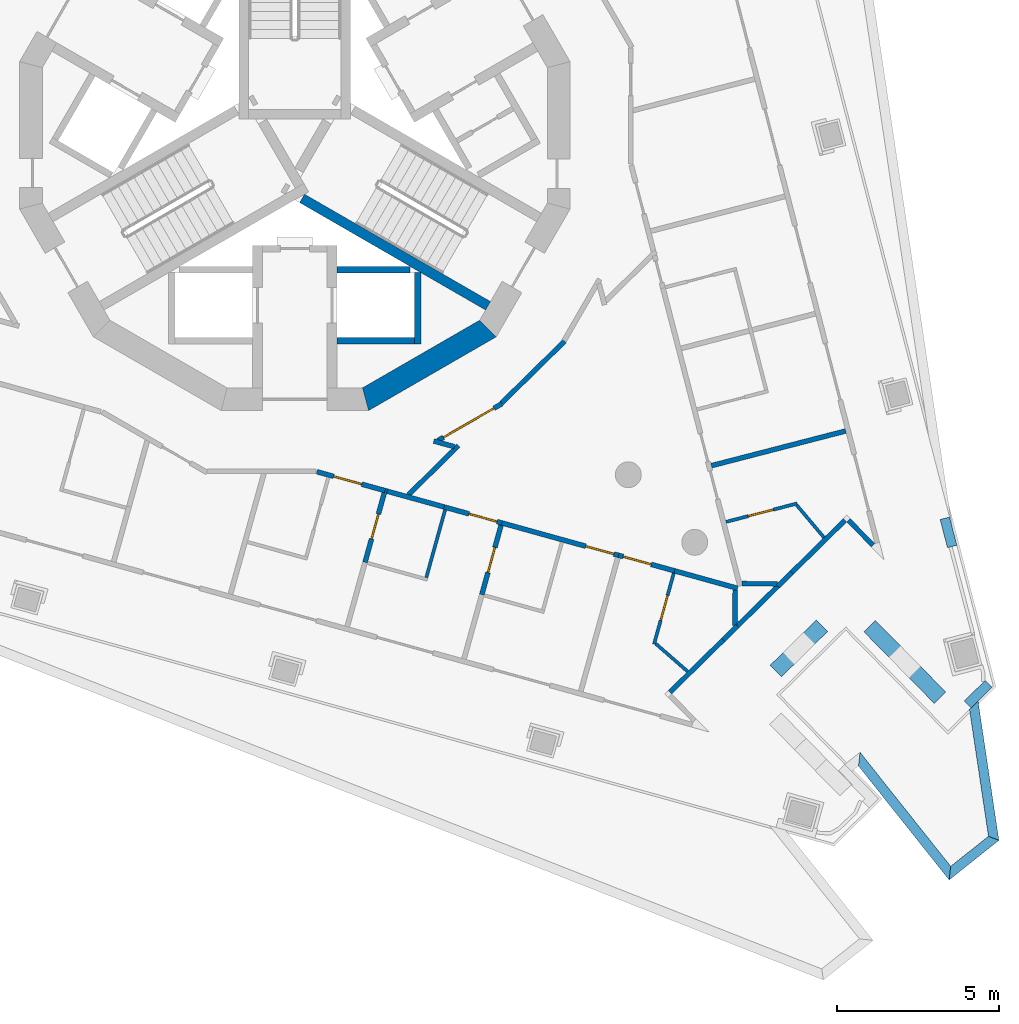
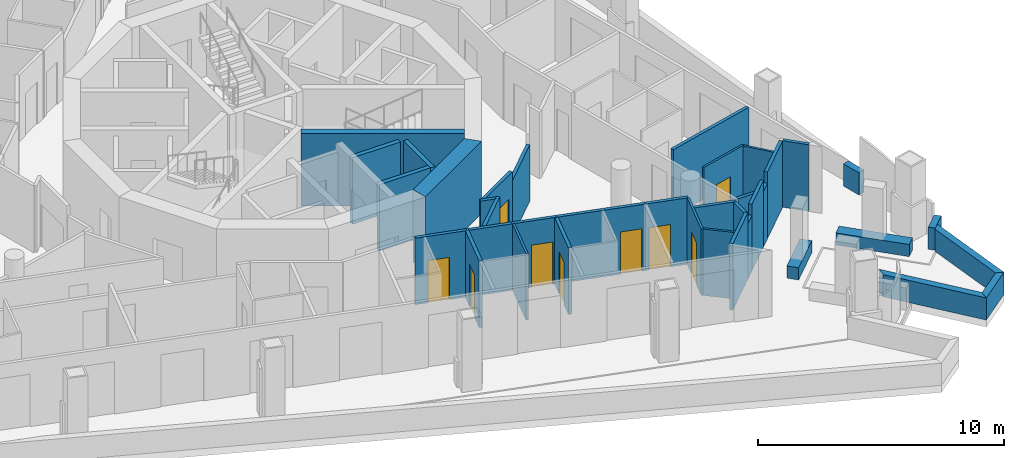
# One storey, part 5 of 14: 38 walls, 9 doors, 9 openings.
"""IFC4 building model written with IfcOpenShell, lengths in metres."""

from ifc_helpers import new_model, si_unit, direction, frame, frame_2d, origin, place, context, subcontext, project, spatial, polyline, rectangle, outline, extrude, material, layer, layer_set, type_object, element, fill, save


model = new_model("IFC4")

# Units and contexts
model_context = context("Model", 3, precision=1e-05, world=origin(), true_north=direction((0.0, 1.0)))
body_context = subcontext(model_context, "Body", "Model", "MODEL_VIEW")
ifc_project = project(units=[si_unit("LENGTHUNIT", "METRE"), si_unit("AREAUNIT", "SQUARE_METRE"), si_unit("VOLUMEUNIT", "CUBIC_METRE"), si_unit("PLANEANGLEUNIT", "RADIAN"), si_unit("MASSUNIT", "GRAM", prefix="KILO")], contexts=[model_context])

# Site, building, storey
site_placement = place(None, origin())
site = spatial("IfcSite", under=ifc_project, at=site_placement, CompositionType="ELEMENT")
building_placement = place(site_placement, origin())
building = spatial("IfcBuilding", under=site, at=building_placement, Name="Trine Commons Tower", CompositionType="ELEMENT")
storey_placement = place(building_placement, frame((0.0, 0.0, 234.89990234375)))
storey = spatial("IfcBuildingStorey", under=building, at=storey_placement, Name="L61", CompositionType="ELEMENT", Elevation=234.89990234375)

# Walls
ifc_material_1 = material(Name="Aluminium-framed insulated wall panel", Category="aluminium")
ifc_layer_1 = layer(ifc_material_1, 0.14990234375)
ifc_layer_set_1 = layer_set([ifc_layer_1], Name="Aluminium-framed insulated wall panel")
wall_type_1 = type_object("IfcWallType", Name="Glazed frame wall 150, EI 60", PredefinedType="SOLIDWALL", material=ifc_layer_set_1)
wall_1_placement = place(storey_placement, frame((97.966796875, 49.731201171875, 0.0), z_axis=(0.0, 0.0, 1.0), x_axis=(-0.700999978355, 0.71316129336, 0.0)))
element("IfcWall", 1, at=wall_1_placement, inside=storey, type_object=wall_type_1, Name="Glazed frame wall R6", PredefinedType="SOLIDWALL", context=body_context, shape_type="SweptSolid", body=[
    extrude(outline(polyline([(0.1494140625, 0.074951171875), (0.1494140625, -0.074951171875), (1.235107421875, -0.074951171875), (1.235107421875, 0.074951171875), (0.1494140625, 0.074951171875)])), origin(), (0.0, 0.0, 1.0), 3.300048828125),
])
wall_2_placement = place(storey_placement, frame((97.073486328125, 50.690185546875, 0.0), z_axis=(0.0, 0.0, 1.0), x_axis=(-0.713250368354, -0.700909346522, 0.0)))
element("IfcWall", 2, at=wall_2_placement, inside=storey, type_object=wall_type_1, Name="Glazed frame wall P2.1", PredefinedType="SOLIDWALL", context=body_context, shape_type="SweptSolid", body=[
    extrude(outline(polyline([(0.110107421875, -0.074951171875), (2.41357421875, -0.074951171875), (2.41357421875, 0.074951171875), (0.110107421875, 0.074951171875), (0.110107421875, -0.074951171875)])), origin(), (0.0, 0.0, 1.0), 3.300048828125),
])
wall_3_placement = place(storey_placement, frame((95.35205078125, 48.99853515625, 0.0), z_axis=(0.0, 0.0, 1.0), x_axis=(-0.713304727682, -0.700854025791, 0.0)))
element("IfcWall", 3, at=wall_3_placement, inside=storey, type_object=wall_type_1, Name="Glazed frame wall P2.2", PredefinedType="SOLIDWALL", context=body_context, shape_type="SweptSolid", body=[
    extrude(outline(polyline([(0.0, -0.074951171875), (0.60791015625, -0.074951171875), (0.60791015625, 0.074951171875), (0.0, 0.074951171875), (0.0, -0.074951171875)])), origin(), (0.0, 0.0, 1.0), 2.75),
])
wall_4_placement = place(storey_placement, frame((94.91845703125, 48.572509765625, 0.0), z_axis=(0.0, 0.0, 1.0), x_axis=(-0.713193839807, -0.700966865737, 0.0)))
element("IfcWall", 4, at=wall_4_placement, inside=storey, type_object=wall_type_1, Name="Glazed frame wall P2.3", PredefinedType="SOLIDWALL", context=body_context, shape_type="SweptSolid", body=[
    extrude(outline(polyline([(0.0, -0.074951171875), (1.757080078125, -0.074951171875), (1.757080078125, 0.074951171875), (0.0, 0.074951171875), (0.0, -0.074951171875)])), origin(), (0.0, 0.0, 1.0), 3.300048828125),
])
wall_5_placement = place(storey_placement, frame((93.665283203125, 47.3408203125, 0.0), z_axis=(0.0, 0.0, 1.0), x_axis=(-0.713304727682, -0.700854025791, 0.0)))
element("IfcWall", 5, at=wall_5_placement, inside=storey, type_object=wall_type_1, Name="Glazed frame wall P2.4", PredefinedType="SOLIDWALL", context=body_context, shape_type="SweptSolid", body=[
    extrude(outline(polyline([(0.0, -0.074951171875), (0.60791015625, -0.074951171875), (0.60791015625, 0.074951171875), (0.0, 0.074951171875), (0.0, -0.074951171875)])), origin(), (0.0, 0.0, 1.0), 2.75),
])
wall_6_placement = place(storey_placement, frame((93.231689453125, 46.914794921875, 0.0), z_axis=(0.0, 0.0, 1.0), x_axis=(-0.713249493487, -0.700910236793, 0.0)))
element("IfcWall", 6, at=wall_6_placement, inside=storey, type_object=wall_type_1, Name="Glazed frame wall P2.5", PredefinedType="SOLIDWALL", context=body_context, shape_type="SweptSolid", body=[
    extrude(outline(polyline([(2.3037109375, 0.074951171875), (0.0, 0.074951171875), (0.0, -0.074951171875), (2.3037109375, -0.074951171875), (2.3037109375, 0.074951171875)])), origin(), (0.0, 0.0, 1.0), 3.300048828125),
])
ifc_material_2 = material(Name="Planter trough, precast concrete C40/50", Category="concrete")
ifc_layer_2 = layer(ifc_material_2, 0.5)
ifc_layer_set_2 = layer_set([ifc_layer_2], Name="Planter trough, precast concrete C40/50")
wall_type_2 = type_object("IfcWallType", Name="Planter trough 500x600", PredefinedType="PARAPET", material=ifc_layer_set_2)
wall_7_placement = place(storey_placement, frame((99.927734375, 45.1318359375, 0.0), z_axis=(0.0, 0.0, 1.0), x_axis=(-0.700897681372, 0.713261831481, 0.0)))
element("IfcWall", 7, at=wall_7_placement, inside=storey, type_object=wall_type_2, Name="Planter 7", PredefinedType="PARAPET", context=body_context, shape_type="SweptSolid", body=[
    extrude(rectangle(XDim=3.10009765625, YDim=0.5, at=frame_2d((1.550048828125, 0.0))), origin(), (0.0, 0.0, 1.0), 0.60009765625),
])
wall_8_placement = place(storey_placement, frame((96.2841796875, 47.355712890625, 0.0), z_axis=(0.0, 0.0, 1.0), x_axis=(-0.713305380591, -0.700853361282, 0.0)))
element("IfcWall", 8, at=wall_8_placement, inside=storey, type_object=wall_type_2, Name="Planter 8", PredefinedType="PARAPET", context=body_context, shape_type="SweptSolid", body=[
    extrude(rectangle(XDim=1.999755859375, YDim=0.5, at=frame_2d((1.0, 0.0))), origin(), (0.0, 0.0, 1.0), 0.60009765625),
])
ifc_material_3 = material(Name="Concrete C50/60", Category="concrete")
ifc_layer_3 = layer(ifc_material_3, 0.300048828125)
ifc_layer_set_3 = layer_set([ifc_layer_3], Name="Concrete C50/60")
wall_type_3 = type_object("IfcWallType", Name="RC shear wall 300 mm, C50/60", PredefinedType="SHEAR", material=ifc_layer_set_3)
wall_9_placement = place(storey_placement, frame((80.22509765625, 60.552001953125, 0.0), z_axis=(0.0, 0.0, 1.0), x_axis=(0.866009627307, -0.500027324665, 0.0)))
element("IfcWall", 9, at=wall_9_placement, inside=storey, type_object=wall_type_3, Name="Core cross wall SWC-13 L61", PredefinedType="SHEAR", context=body_context, shape_type="SweptSolid", body=[
    extrude(rectangle(XDim=6.631591796875, YDim=0.300048828125, at=frame_2d((3.31591796875, 0.0))), origin(), (0.0, 0.0, 1.0), 3.60009765625),
])
ifc_layer_4 = layer(ifc_material_3, 0.699951171875)
ifc_layer_set_4 = layer_set([ifc_layer_4], Name="Concrete C50/60")
wall_type_4 = type_object("IfcWallType", Name="RC shear wall 700 mm, C50/60", PredefinedType="SHEAR", material=ifc_layer_set_4)
wall_10_placement = place(storey_placement, frame((82.1025390625, 54.302978515625, 0.0), z_axis=(0.0, 0.0, 1.0), x_axis=(0.866034756103, 0.499983800959, 0.0)))
element("IfcWall", 10, at=wall_10_placement, inside=storey, type_object=wall_type_4, Name="Core wall CWG-11 L61", PredefinedType="SHEAR", context=body_context, shape_type="SweptSolid", body=[
    extrude(outline(polyline([(0.0, -0.35009765625), (4.55517578125, -0.35009765625), (4.36767578125, 0.35009765625), (0.1875, 0.35009765625), (0.0, -0.35009765625)])), origin(), (0.0, 0.0, 1.0), 3.60009765625),
])
ifc_material_4 = material(Name="Fire-rated gypsum shaft wall system")
ifc_layer_5 = layer(ifc_material_4, 0.199951171875)
ifc_layer_set_5 = layer_set([ifc_layer_5], Name="Fire-rated gypsum shaft wall system")
wall_type_5 = type_object("IfcWallType", Name="Shaft wall 200 mm, EI 120", PredefinedType="PARTITIONING", material=ifc_layer_set_5)
wall_11_placement = place(storey_placement, frame((81.300048828125, 56.14990234375, 0.0), z_axis=(0.0, 0.0, 1.0), x_axis=(1.0, 0.0, 0.0)))
element("IfcWall", 11, at=wall_11_placement, inside=storey, type_object=wall_type_5, Name="Shaft wall L61", PredefinedType="PARTITIONING", context=body_context, shape_type="SweptSolid", body=[
    extrude(rectangle(XDim=2.39990234375, YDim=0.199951171875, at=frame_2d((1.199951171875, 0.0))), origin(), (0.0, 0.0, 1.0), 3.300048828125),
])
wall_12_placement = place(storey_placement, frame((81.300048828125, 58.35009765625, 0.0), z_axis=(0.0, 0.0, 1.0), x_axis=(1.0, 0.0, 0.0)))
element("IfcWall", 12, at=wall_12_placement, inside=storey, type_object=wall_type_5, Name="Shaft wall L61", PredefinedType="PARTITIONING", context=body_context, shape_type="SweptSolid", body=[
    extrude(rectangle(XDim=2.264892578125, YDim=0.199951171875, at=frame_2d((1.13232421875, 0.0))), origin(), (0.0, 0.0, 1.0), 3.300048828125),
])
wall_13_placement = place(storey_placement, frame((83.800048828125, 58.257080078125, 0.0), z_axis=(0.0, 0.0, 1.0), x_axis=(0.0, -1.0, 0.0)))
element("IfcWall", 13, at=wall_13_placement, inside=storey, type_object=wall_type_5, Name="Shaft wall L61", PredefinedType="PARTITIONING", context=body_context, shape_type="SweptSolid", body=[
    extrude(rectangle(XDim=2.20703125, YDim=0.199951171875, at=frame_2d((1.103515625, 0.0))), origin(), (0.0, 0.0, 1.0), 3.300048828125),
])
ifc_material_5 = material(Name="Limestone, honed", Category="masonry")
ifc_layer_6 = layer(ifc_material_5, 0.300048828125)
ifc_layer_set_6 = layer_set([ifc_layer_6], Name="Limestone, honed")
wall_type_6 = type_object("IfcWallType", Name="Stone parapet 300", PredefinedType="PARAPET", material=ifc_layer_set_6)
wall_14_placement = place(storey_placement, origin())
element("IfcWall", 14, at=wall_14_placement, inside=storey, type_object=wall_type_6, Name="Sliver roof parapet extension L60 5.X1", PredefinedType="PARAPET", context=body_context, shape_type="SweptSolid", body=[
    extrude(outline(polyline([(100.22412109375, 50.70947265625), (99.93359375, 50.63427734375), (100.158935546875, 49.762939453125), (100.449462890625, 49.837890625), (100.275634765625, 50.509765625), (100.22412109375, 50.70947265625)])), origin(), (0.0, 0.0, 1.0), 1.10009765625),
])
wall_15_placement = place(storey_placement, origin())
element("IfcWall", 15, at=wall_15_placement, inside=storey, type_object=wall_type_6, Name="Sliver roof parapet L60 6.1", PredefinedType="PARAPET", context=body_context, shape_type="SweptSolid", body=[
    extrude(outline(polyline([(101.748046875, 40.7236328125), (101.10498046875, 45.02685546875), (100.840576171875, 44.76708984375), (101.42578125, 40.8505859375), (101.748046875, 40.7236328125)])), origin(), (0.0, 0.0, 1.0), 1.10009765625),
])
wall_16_placement = place(storey_placement, origin())
element("IfcWall", 16, at=wall_16_placement, inside=storey, type_object=wall_type_6, Name="Sliver roof parapet L60 6.3", PredefinedType="PARAPET", context=body_context, shape_type="SweptSolid", body=[
    extrude(outline(polyline([(97.40966796875, 43.022705078125), (100.2109375, 39.5009765625), (100.259033203125, 39.92236328125), (97.457763671875, 43.444091796875), (97.40966796875, 43.022705078125)])), origin(), (0.0, 0.0, 1.0), 1.10009765625),
])
wall_17_placement = place(storey_placement, origin())
element("IfcWall", 17, at=wall_17_placement, inside=storey, type_object=wall_type_6, Name="Sliver roof parapet L60 6.4", PredefinedType="PARAPET", context=body_context, shape_type="SweptSolid", body=[
    extrude(outline(polyline([(100.2109375, 39.5009765625), (101.748046875, 40.7236328125), (101.42578125, 40.8505859375), (100.259033203125, 39.92236328125), (100.2109375, 39.5009765625)])), origin(), (0.0, 0.0, 1.0), 1.10009765625),
])
wall_18_placement = place(storey_placement, origin())
element("IfcWall", 18, at=wall_18_placement, inside=storey, type_object=wall_type_6, Name="Sliver roof parapet extension L60 6.X1", PredefinedType="PARAPET", context=body_context, shape_type="SweptSolid", body=[
    extrude(outline(polyline([(101.532958984375, 45.447509765625), (101.32275390625, 45.661376953125), (100.6806640625, 45.030517578125), (100.89111328125, 44.816650390625), (100.927490234375, 44.8525390625), (101.532958984375, 45.447509765625)])), origin(), (0.0, 0.0, 1.0), 1.10009765625),
])

# Wall, opening, door
ifc_material_6 = material(Name="Gypsum plasterboard on steel stud", Category="steel")
ifc_layer_7 = layer(ifc_material_6, 0.14990234375)
ifc_layer_set_7 = layer_set([ifc_layer_7], Name="Gypsum plasterboard on steel stud")
wall_type_7 = type_object("IfcWallType", Name="Unit and corridor wall 150 mm, EI 60", PredefinedType="PARTITIONING", material=ifc_layer_set_7)
wall_19_placement = place(storey_placement, frame((80.681884765625, 52.110107421875, 0.0), z_axis=(0.0, 0.0, 1.0), x_axis=(0.96358351927, -0.267407556722, 0.0)))
wall_19 = element("IfcWall", 19, at=wall_19_placement, inside=storey, type_object=wall_type_7, Name="Partition 056", PredefinedType="PARTITIONING", context=body_context, shape_type="SweptSolid", body=[
    extrude(rectangle(XDim=2.184814453125, YDim=0.14990234375, at=frame_2d((1.09228515625, 0.0))), origin(), (0.0, 0.0, 1.0), 3.300048828125),
])
opening_1_placement = place(wall_19_placement, frame((0.53759765625, 0.0, 0.0)))
opening_1 = element("IfcOpeningElement", 20, at=opening_1_placement, cuts=wall_19, Name="Opening D-7A22", PredefinedType="OPENING", context=body_context, shape_type="SweptSolid", body=[
    extrude(rectangle(XDim=0.89990234375, YDim=2.10009765625, at=frame_2d((0.449951171875, 1.050048828125))), frame((0.0, 0.0849609375, 0.0), z_axis=(0.0, -1.0, 0.0), x_axis=(1.0, 0.0, 0.0)), (0.0, 0.0, 1.0), 0.169921875),
])
ifc_material_7 = material(Name="Timber fire door set", Category="wood")
door_type_1 = type_object("IfcDoorType", Name="Bedroom door 900 x 2100, FD30S", OperationType="NOTDEFINED", PredefinedType="DOOR", material=ifc_material_7)
door_1_placement = place(opening_1_placement, frame((0.89990234375, 0.0, 0.0), z_axis=(0.0, 0.0, 1.0), x_axis=(-1.0, 0.0, 0.0)))
door_1 = element("IfcDoor", 21, at=door_1_placement, inside=storey, type_object=door_type_1, Name="Door D-7A22", OperationType="SINGLE_SWING_RIGHT", OverallHeight=2.10009765625, OverallWidth=0.89990234375, PredefinedType="DOOR", context=body_context, shape_type="SweptSolid", body=[
    extrude(rectangle(XDim=0.89990234375, YDim=2.10009765625, at=frame_2d((0.449951171875, 1.050048828125))), frame((0.0, 0.02490234375, 0.0), z_axis=(0.0, -1.0, 0.0), x_axis=(1.0, 0.0, 0.0)), (0.0, 0.0, 1.0), 0.050048828125),
])
fill(opening_1, door_1)

wall_20_placement = place(storey_placement, frame((82.1689453125, 49.31298828125, 0.0), z_axis=(0.0, 0.0, 1.0), x_axis=(0.267490099625, 0.963560608681, 0.0)))
wall_20 = element("IfcWall", 22, at=wall_20_placement, inside=storey, type_object=wall_type_7, Name="Partition 059", PredefinedType="PARTITIONING", context=body_context, shape_type="SweptSolid", body=[
    extrude(rectangle(XDim=2.374755859375, YDim=0.14990234375, at=frame_2d((1.1875, 0.0))), origin(), (0.0, 0.0, 1.0), 3.300048828125),
])
opening_2_placement = place(wall_20_placement, frame((0.75, 0.0, 0.0)))
opening_2 = element("IfcOpeningElement", 23, at=opening_2_placement, cuts=wall_20, Name="Opening D-7A42", PredefinedType="OPENING", context=body_context, shape_type="SweptSolid", body=[
    extrude(rectangle(XDim=0.800048828125, YDim=2.10009765625, at=frame_2d((0.39990234375, 1.050048828125))), frame((0.0, 0.0849609375, 0.0), z_axis=(0.0, -1.0, 0.0), x_axis=(1.0, 0.0, 0.0)), (0.0, 0.0, 1.0), 0.169921875),
])
ifc_material_8 = material(Name="Painted timber", Category="wood")
door_type_2 = type_object("IfcDoorType", Name="Internal door 800 x 2100, NOT RATED", OperationType="NOTDEFINED", PredefinedType="DOOR", material=ifc_material_8)
door_2_placement = place(opening_2_placement, origin())
door_2 = element("IfcDoor", 24, at=door_2_placement, inside=storey, type_object=door_type_2, Name="Door D-7A42", OperationType="SINGLE_SWING_LEFT", OverallHeight=2.10009765625, OverallWidth=0.800048828125, PredefinedType="DOOR", context=body_context, shape_type="SweptSolid", body=[
    extrude(rectangle(XDim=0.800048828125, YDim=2.10009765625, at=frame_2d((0.39990234375, 1.050048828125))), frame((0.0, 0.02490234375, 0.0), z_axis=(0.0, -1.0, 0.0), x_axis=(1.0, 0.0, 0.0)), (0.0, 0.0, 1.0), 0.050048828125),
])
fill(opening_2, door_2)

# Walls
wall_21_placement = place(storey_placement, frame((82.852294921875, 51.508056640625, 0.0), z_axis=(0.0, 0.0, 1.0), x_axis=(0.963942160186, -0.266111840805, 0.0)))
element("IfcWall", 25, at=wall_21_placement, inside=storey, type_object=wall_type_7, Name="Partition 063", PredefinedType="PARTITIONING", context=body_context, shape_type="SweptSolid", body=[
    extrude(rectangle(XDim=1.882568359375, YDim=0.14990234375, at=frame_2d((0.94140625, 0.0))), origin(), (0.0, 0.0, 1.0), 3.300048828125),
])
wall_22_placement = place(storey_placement, frame((83.506591796875, 51.3955078125, 0.0), z_axis=(0.0, 0.0, 1.0), x_axis=(0.712824796749, 0.701342148412, 0.0)))
element("IfcWall", 26, at=wall_22_placement, inside=storey, type_object=wall_type_7, Name="Partition 065", PredefinedType="PARTITIONING", context=body_context, shape_type="SweptSolid", body=[
    extrude(rectangle(XDim=2.168701171875, YDim=0.14990234375, at=frame_2d((1.08447265625, 0.0))), origin(), (0.0, 0.0, 1.0), 3.300048828125),
])
wall_23_placement = place(storey_placement, frame((84.290771484375, 53.058837890625, 0.0), z_axis=(0.0, 0.0, 1.0), x_axis=(0.964146228047, -0.265371533785, 0.0)))
element("IfcWall", 27, at=wall_23_placement, inside=storey, type_object=wall_type_7, Name="Partition 069", PredefinedType="PARTITIONING", context=body_context, shape_type="SweptSolid", body=[
    extrude(rectangle(XDim=0.65966796875, YDim=0.14990234375, at=frame_2d((0.329833984375, 0.0))), origin(), (0.0, 0.0, 1.0), 3.300048828125),
])

# Wall, opening, door
wall_24_placement = place(storey_placement, frame((84.427978515625, 53.076416015625, 0.0), z_axis=(0.0, 0.0, 1.0), x_axis=(0.866072877359, 0.499917764341, 0.0)))
wall_24 = element("IfcWall", 28, at=wall_24_placement, inside=storey, type_object=wall_type_7, Name="Partition 070", PredefinedType="PARTITIONING", context=body_context, shape_type="SweptSolid", body=[
    extrude(rectangle(XDim=2.2724609375, YDim=0.14990234375, at=frame_2d((1.13623046875, 0.0))), origin(), (0.0, 0.0, 1.0), 3.300048828125),
])
opening_3_placement = place(wall_24_placement, frame((0.188720703125, 0.0, 0.0)))
opening_3 = element("IfcOpeningElement", 29, at=opening_3_placement, cuts=wall_24, Name="Opening D-7A02", PredefinedType="OPENING", context=body_context, shape_type="SweptSolid", body=[
    extrude(rectangle(XDim=1.800048828125, YDim=2.10009765625, at=frame_2d((0.89990234375, 1.050048828125))), frame((0.0, 0.0849609375, 0.0), z_axis=(0.0, -1.0, 0.0), x_axis=(1.0, 0.0, 0.0)), (0.0, 0.0, 1.0), 0.169921875),
])
door_type_3 = type_object("IfcDoorType", Name="Cluster entrance door 1800 x 2100, double leaf, FD30S", OperationType="DOUBLE_DOOR_DOUBLE_SWING", PredefinedType="DOOR", material=ifc_material_7)
door_3_placement = place(opening_3_placement, frame((1.800048828125, 0.0, 0.0), z_axis=(0.0, 0.0, 1.0), x_axis=(-1.0, 0.0, 0.0)))
door_3 = element("IfcDoor", 30, at=door_3_placement, inside=storey, type_object=door_type_3, Name="Door D-7A02", OperationType="DOUBLE_DOOR_DOUBLE_SWING", OverallHeight=2.10009765625, OverallWidth=1.800048828125, PredefinedType="DOOR", context=body_context, shape_type="SweptSolid", body=[
    extrude(rectangle(XDim=1.800048828125, YDim=2.10009765625, at=frame_2d((0.89990234375, 1.050048828125))), frame((0.0, 0.02490234375, 0.0), z_axis=(0.0, -1.0, 0.0), x_axis=(1.0, 0.0, 0.0)), (0.0, 0.0, 1.0), 0.050048828125),
])
fill(opening_3, door_3)

wall_25_placement = place(storey_placement, frame((84.61083984375, 51.0224609375, 0.0), z_axis=(0.0, 0.0, 1.0), x_axis=(0.963673001046, -0.267084906077, 0.0)))
wall_25 = element("IfcWall", 31, at=wall_25_placement, inside=storey, type_object=wall_type_7, Name="Partition 071", PredefinedType="PARTITIONING", context=body_context, shape_type="SweptSolid", body=[
    extrude(rectangle(XDim=1.847412109375, YDim=0.14990234375, at=frame_2d((0.923828125, 0.0))), origin(), (0.0, 0.0, 1.0), 3.300048828125),
])
opening_4_placement = place(wall_25_placement, frame((0.79736328125, 0.0, 0.0)))
opening_4 = element("IfcOpeningElement", 32, at=opening_4_placement, cuts=wall_25, Name="Opening D-7A21", PredefinedType="OPENING", context=body_context, shape_type="SweptSolid", body=[
    extrude(rectangle(XDim=0.89990234375, YDim=2.10009765625, at=frame_2d((0.449951171875, 1.050048828125))), frame((0.0, 0.0849609375, 0.0), z_axis=(0.0, -1.0, 0.0), x_axis=(1.0, 0.0, 0.0)), (0.0, 0.0, 1.0), 0.169921875),
])
door_4_placement = place(opening_4_placement, frame((0.89990234375, 0.0, 0.0), z_axis=(0.0, 0.0, 1.0), x_axis=(-1.0, 0.0, 0.0)))
door_4 = element("IfcDoor", 33, at=door_4_placement, inside=storey, type_object=door_type_1, Name="Door D-7A21", OperationType="SINGLE_SWING_LEFT", OverallHeight=2.10009765625, OverallWidth=0.89990234375, PredefinedType="DOOR", context=body_context, shape_type="SweptSolid", body=[
    extrude(rectangle(XDim=0.89990234375, YDim=2.10009765625, at=frame_2d((0.449951171875, 1.050048828125))), frame((0.0, 0.02490234375, 0.0), z_axis=(0.0, -1.0, 0.0), x_axis=(1.0, 0.0, 0.0)), (0.0, 0.0, 1.0), 0.050048828125),
])
fill(opening_4, door_4)

wall_26_placement = place(storey_placement, frame((85.77587890625, 48.31298828125, 0.0), z_axis=(0.0, 0.0, 1.0), x_axis=(0.267423129935, 0.963579197355, 0.0)))
wall_26 = element("IfcWall", 34, at=wall_26_placement, inside=storey, type_object=wall_type_7, Name="Partition 074", PredefinedType="PARTITIONING", context=body_context, shape_type="SweptSolid", body=[
    extrude(rectangle(XDim=2.224853515625, YDim=0.14990234375, at=frame_2d((1.1123046875, 0.0))), origin(), (0.0, 0.0, 1.0), 3.300048828125),
])
opening_5_placement = place(wall_26_placement, frame((0.71240234375, 0.0, 0.0)))
opening_5 = element("IfcOpeningElement", 35, at=opening_5_placement, cuts=wall_26, Name="Opening D-7A41", PredefinedType="OPENING", context=body_context, shape_type="SweptSolid", body=[
    extrude(rectangle(XDim=0.800048828125, YDim=2.10009765625, at=frame_2d((0.39990234375, 1.050048828125))), frame((0.0, 0.0849609375, 0.0), z_axis=(0.0, -1.0, 0.0), x_axis=(1.0, 0.0, 0.0)), (0.0, 0.0, 1.0), 0.169921875),
])
door_5_placement = place(opening_5_placement, origin())
door_5 = element("IfcDoor", 36, at=door_5_placement, inside=storey, type_object=door_type_2, Name="Door D-7A41", OperationType="SINGLE_SWING_RIGHT", OverallHeight=2.10009765625, OverallWidth=0.800048828125, PredefinedType="DOOR", context=body_context, shape_type="SweptSolid", body=[
    extrude(rectangle(XDim=0.800048828125, YDim=2.10009765625, at=frame_2d((0.39990234375, 1.050048828125))), frame((0.0, 0.02490234375, 0.0), z_axis=(0.0, -1.0, 0.0), x_axis=(1.0, 0.0, 0.0)), (0.0, 0.0, 1.0), 0.050048828125),
])
fill(opening_5, door_5)

# Wall
wall_27_placement = place(storey_placement, frame((86.384521484375, 54.2275390625, 0.0), z_axis=(0.0, 0.0, 1.0), x_axis=(0.713113779806, 0.701048312922, 0.0)))
element("IfcWall", 37, at=wall_27_placement, inside=storey, type_object=wall_type_7, Name="Partition 078", PredefinedType="PARTITIONING", context=body_context, shape_type="SweptSolid", body=[
    extrude(rectangle(XDim=2.731689453125, YDim=0.14990234375, at=frame_2d((1.36572265625, 0.0))), origin(), (0.0, 0.0, 1.0), 2.800048828125),
])

# Wall, opening, door
wall_28_placement = place(storey_placement, frame((86.39111328125, 50.529052734375, 0.0), z_axis=(0.0, 0.0, 1.0), x_axis=(0.963631856359, -0.267233316428, 0.0)))
wall_28 = element("IfcWall", 38, at=wall_28_placement, inside=storey, type_object=wall_type_7, Name="Partition 079", PredefinedType="PARTITIONING", context=body_context, shape_type="SweptSolid", body=[
    extrude(rectangle(XDim=3.741943359375, YDim=0.14990234375, at=frame_2d((1.87109375, 0.0))), origin(), (0.0, 0.0, 1.0), 3.300048828125),
])
opening_6_placement = place(wall_28_placement, frame((2.692138671875, 0.0, 0.0)))
opening_6 = element("IfcOpeningElement", 39, at=opening_6_placement, cuts=wall_28, Name="Opening D-7A20", PredefinedType="OPENING", context=body_context, shape_type="SweptSolid", body=[
    extrude(rectangle(XDim=0.89990234375, YDim=2.10009765625, at=frame_2d((0.449951171875, 1.050048828125))), frame((0.0, 0.0849609375, 0.0), z_axis=(0.0, -1.0, 0.0), x_axis=(1.0, 0.0, 0.0)), (0.0, 0.0, 1.0), 0.169921875),
])
door_6_placement = place(opening_6_placement, frame((0.89990234375, 0.0, 0.0), z_axis=(0.0, 0.0, 1.0), x_axis=(-1.0, 0.0, 0.0)))
door_6 = element("IfcDoor", 40, at=door_6_placement, inside=storey, type_object=door_type_1, Name="Door D-7A20", OperationType="SINGLE_SWING_LEFT", OverallHeight=2.10009765625, OverallWidth=0.89990234375, PredefinedType="DOOR", context=body_context, shape_type="SweptSolid", body=[
    extrude(rectangle(XDim=0.89990234375, YDim=2.10009765625, at=frame_2d((0.449951171875, 1.050048828125))), frame((0.0, 0.02490234375, 0.0), z_axis=(0.0, -1.0, 0.0), x_axis=(1.0, 0.0, 0.0)), (0.0, 0.0, 1.0), 0.050048828125),
])
fill(opening_6, door_6)

wall_29_placement = place(storey_placement, frame((89.9970703125, 49.529052734375, 0.0), z_axis=(0.0, 0.0, 1.0), x_axis=(0.963677325853, -0.267069301188, 0.0)))
wall_29 = element("IfcWall", 41, at=wall_29_placement, inside=storey, type_object=wall_type_7, Name="Partition 095", PredefinedType="PARTITIONING", context=body_context, shape_type="SweptSolid", body=[
    extrude(rectangle(XDim=1.797119140625, YDim=0.14990234375, at=frame_2d((0.8984375, 0.0))), origin(), (0.0, 0.0, 1.0), 3.300048828125),
])
opening_7_placement = place(wall_29_placement, frame((0.14990234375, 0.0, 0.0)))
opening_7 = element("IfcOpeningElement", 42, at=opening_7_placement, cuts=wall_29, Name="Opening D-7A19", PredefinedType="OPENING", context=body_context, shape_type="SweptSolid", body=[
    extrude(rectangle(XDim=0.89990234375, YDim=2.10009765625, at=frame_2d((0.449951171875, 1.050048828125))), frame((0.0, 0.0849609375, 0.0), z_axis=(0.0, -1.0, 0.0), x_axis=(1.0, 0.0, 0.0)), (0.0, 0.0, 1.0), 0.169921875),
])
door_7_placement = place(opening_7_placement, frame((0.89990234375, 0.0, 0.0), z_axis=(0.0, 0.0, 1.0), x_axis=(-1.0, 0.0, 0.0)))
door_7 = element("IfcDoor", 43, at=door_7_placement, inside=storey, type_object=door_type_1, Name="Door D-7A19", OperationType="SINGLE_SWING_RIGHT", OverallHeight=2.10009765625, OverallWidth=0.89990234375, PredefinedType="DOOR", context=body_context, shape_type="SweptSolid", body=[
    extrude(rectangle(XDim=0.89990234375, YDim=2.10009765625, at=frame_2d((0.449951171875, 1.050048828125))), frame((0.0, 0.02490234375, 0.0), z_axis=(0.0, -1.0, 0.0), x_axis=(1.0, 0.0, 0.0)), (0.0, 0.0, 1.0), 0.050048828125),
])
fill(opening_7, door_7)

# Walls
wall_30_placement = place(storey_placement, frame((91.6728515625, 49.064453125, 0.0), z_axis=(0.0, 0.0, 1.0), x_axis=(0.963652381101, -0.267159294054, 0.0)))
element("IfcWall", 44, at=wall_30_placement, inside=storey, type_object=wall_type_7, Name="Partition 106", PredefinedType="PARTITIONING", context=body_context, shape_type="SweptSolid", body=[
    extrude(rectangle(XDim=2.0791015625, YDim=0.14990234375, at=frame_2d((1.03955078125, 0.0))), origin(), (0.0, 0.0, 1.0), 2.75),
])
wall_31_placement = place(storey_placement, frame((92.86767578125, 52.296875, 0.0), z_axis=(0.0, 0.0, 1.0), x_axis=(0.968184295309, 0.250238227129, 0.0)))
element("IfcWall", 45, at=wall_31_placement, inside=storey, type_object=wall_type_7, Name="Partition 109", PredefinedType="PARTITIONING", context=body_context, shape_type="SweptSolid", body=[
    extrude(rectangle(XDim=4.283935546875, YDim=0.14990234375, at=frame_2d((2.14208984375, 0.0))), origin(), (0.0, 0.0, 1.0), 3.300048828125),
])
for number, where, z_axis, x_axis, name in (
    (46, (93.589599609375, 47.35595703125, 0.0), (0.0, 0.0, 1.0), (0.012226742726, 0.999925250587, 0.0), "Partition 111"),
    (47, (93.806884765625, 48.653564453125, 0.0), (0.0, 0.0, 1.0), (0.999983294214, -0.005780250256, 0.0), "Partition 113"),
):
    element("IfcWall", number, at=place(storey_placement, frame(where, z_axis=z_axis, x_axis=x_axis)), inside=storey, type_object=wall_type_7, Name=name, PredefinedType="PARTITIONING", context=body_context, shape_type="SweptSolid", body=[
        extrude(rectangle(XDim=1.09814453125, YDim=0.14990234375, at=frame_2d((0.549072265625, 0.0))), origin(), (0.0, 0.0, 1.0), 2.75),
    ])
ifc_layer_8 = layer(ifc_material_6, 0.10009765625)
ifc_layer_set_8 = layer_set([ifc_layer_8], Name="Gypsum plasterboard on steel stud")
wall_type_8 = type_object("IfcWallType", Name="Unit partition 100 mm, no rating", PredefinedType="PARTITIONING", material=ifc_layer_set_8)
wall_32_placement = place(storey_placement, frame((84.061279296875, 48.840087890625, 0.0), z_axis=(0.0, 0.0, 1.0), x_axis=(0.26738911175, 0.96358863781, 0.0)))
element("IfcWall", 48, at=wall_32_placement, inside=storey, type_object=wall_type_8, Name="Partition 067", PredefinedType="PARTITIONING", context=body_context, shape_type="SweptSolid", body=[
    extrude(rectangle(XDim=2.1748046875, YDim=0.10009765625, at=frame_2d((1.08740234375, 0.0))), origin(), (0.0, 0.0, 1.0), 3.300048828125),
])

# Wall, opening, door
wall_33_placement = place(storey_placement, frame((91.0966796875, 46.784912109375, 0.0), z_axis=(0.0, 0.0, 1.0), x_axis=(0.267345061669, 0.963600860316, 0.0)))
wall_33 = element("IfcWall", 49, at=wall_33_placement, inside=storey, type_object=wall_type_8, Name="Partition 102", PredefinedType="PARTITIONING", context=body_context, shape_type="SweptSolid", body=[
    extrude(rectangle(XDim=2.275634765625, YDim=0.10009765625, at=frame_2d((1.1376953125, 0.0))), origin(), (0.0, 0.0, 1.0), 3.300048828125),
])
opening_8_placement = place(wall_33_placement, frame((0.762939453125, 0.0, 0.0)))
opening_8 = element("IfcOpeningElement", 50, at=opening_8_placement, cuts=wall_33, Name="Opening D-7A40", PredefinedType="OPENING", context=body_context, shape_type="SweptSolid", body=[
    extrude(rectangle(XDim=0.800048828125, YDim=2.10009765625, at=frame_2d((0.39990234375, 1.050048828125))), frame((0.0, 0.06005859375, 0.0), z_axis=(0.0, -1.0, 0.0), x_axis=(1.0, 0.0, 0.0)), (0.0, 0.0, 1.0), 0.1201171875),
])
door_8_placement = place(opening_8_placement, origin())
door_8 = element("IfcDoor", 51, at=door_8_placement, inside=storey, type_object=door_type_2, Name="Door D-7A40", OperationType="SINGLE_SWING_RIGHT", OverallHeight=2.10009765625, OverallWidth=0.800048828125, PredefinedType="DOOR", context=body_context, shape_type="SweptSolid", body=[
    extrude(rectangle(XDim=0.800048828125, YDim=2.10009765625, at=frame_2d((0.39990234375, 1.050048828125))), frame((0.0, 0.02490234375, 0.0), z_axis=(0.0, -1.0, 0.0), x_axis=(1.0, 0.0, 0.0)), (0.0, 0.0, 1.0), 0.050048828125),
])
fill(opening_8, door_8)

# Wall
wall_34_placement = place(storey_placement, frame((91.147705078125, 46.800048828125, 0.0), z_axis=(0.0, 0.0, 1.0), x_axis=(0.753374202667, -0.657592054967, 0.0)))
element("IfcWall", 52, at=wall_34_placement, inside=storey, type_object=wall_type_8, Name="Partition 103", PredefinedType="PARTITIONING", context=body_context, shape_type="SweptSolid", body=[
    extrude(rectangle(XDim=1.3076171875, YDim=0.10009765625, at=frame_2d((0.65380859375, 0.0))), origin(), (0.0, 0.0, 1.0), 3.300048828125),
])

# Wall, opening, door
wall_35_placement = place(storey_placement, frame((93.316650390625, 50.560791015625, 0.0), z_axis=(0.0, 0.0, 1.0), x_axis=(0.968101130966, 0.25055977375, 0.0)))
wall_35 = element("IfcWall", 53, at=wall_35_placement, inside=storey, type_object=wall_type_8, Name="Partition 110", PredefinedType="PARTITIONING", context=body_context, shape_type="SweptSolid", body=[
    extrude(rectangle(XDim=2.274169921875, YDim=0.10009765625, at=frame_2d((1.13720703125, 0.0))), origin(), (0.0, 0.0, 1.0), 3.300048828125),
])
opening_9_placement = place(wall_35_placement, frame((0.712158203125, 0.0, 0.0)))
opening_9 = element("IfcOpeningElement", 54, at=opening_9_placement, cuts=wall_35, Name="Opening D-7A39", PredefinedType="OPENING", context=body_context, shape_type="SweptSolid", body=[
    extrude(rectangle(XDim=0.800048828125, YDim=2.10009765625, at=frame_2d((0.39990234375, 1.050048828125))), frame((0.0, 0.06005859375, 0.0), z_axis=(0.0, -1.0, 0.0), x_axis=(1.0, 0.0, 0.0)), (0.0, 0.0, 1.0), 0.1201171875),
])
door_9_placement = place(opening_9_placement, origin())
door_9 = element("IfcDoor", 55, at=door_9_placement, inside=storey, type_object=door_type_2, Name="Door D-7A39", OperationType="SINGLE_SWING_LEFT", OverallHeight=2.10009765625, OverallWidth=0.800048828125, PredefinedType="DOOR", context=body_context, shape_type="SweptSolid", body=[
    extrude(rectangle(XDim=0.800048828125, YDim=2.10009765625, at=frame_2d((0.39990234375, 1.050048828125))), frame((0.0, 0.02490234375, 0.0), z_axis=(0.0, -1.0, 0.0), x_axis=(1.0, 0.0, 0.0)), (0.0, 0.0, 1.0), 0.050048828125),
])
fill(opening_9, door_9)

# Wall
wall_36_placement = place(storey_placement, frame((95.502197265625, 51.079833984375, 0.0), z_axis=(0.0, 0.0, 1.0), x_axis=(0.644451791136, -0.76464494303, 0.0)))
element("IfcWall", 56, at=wall_36_placement, inside=storey, type_object=wall_type_8, Name="Partition 114", PredefinedType="PARTITIONING", context=body_context, shape_type="SweptSolid", body=[
    extrude(rectangle(XDim=1.30810546875, YDim=0.10009765625, at=frame_2d((0.654052734375, 0.0))), origin(), (0.0, 0.0, 1.0), 3.300048828125),
])

save(model, "model.ifc")
